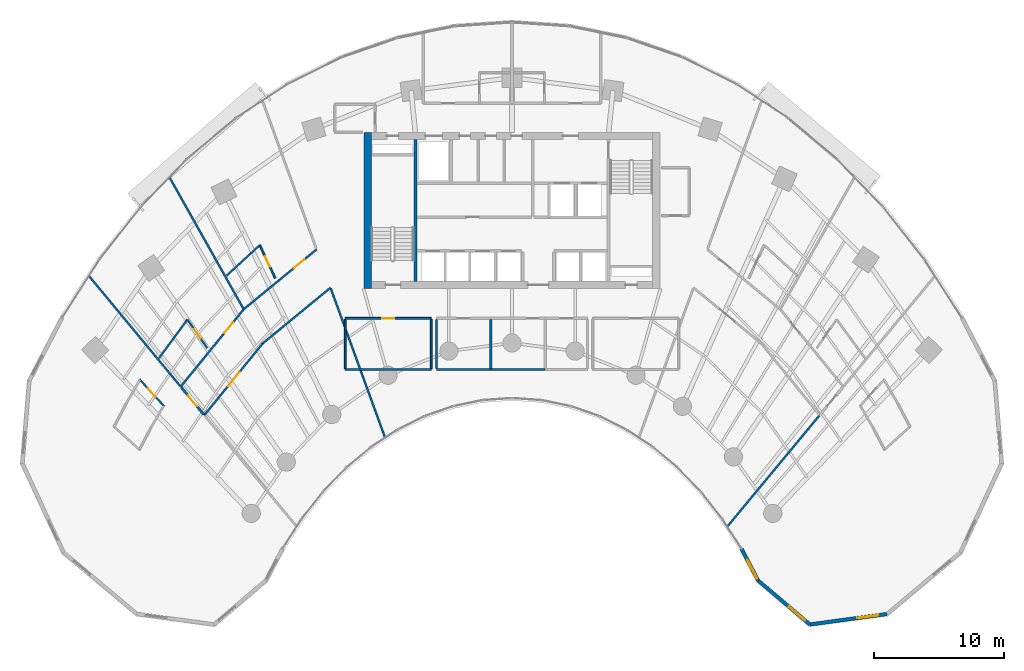
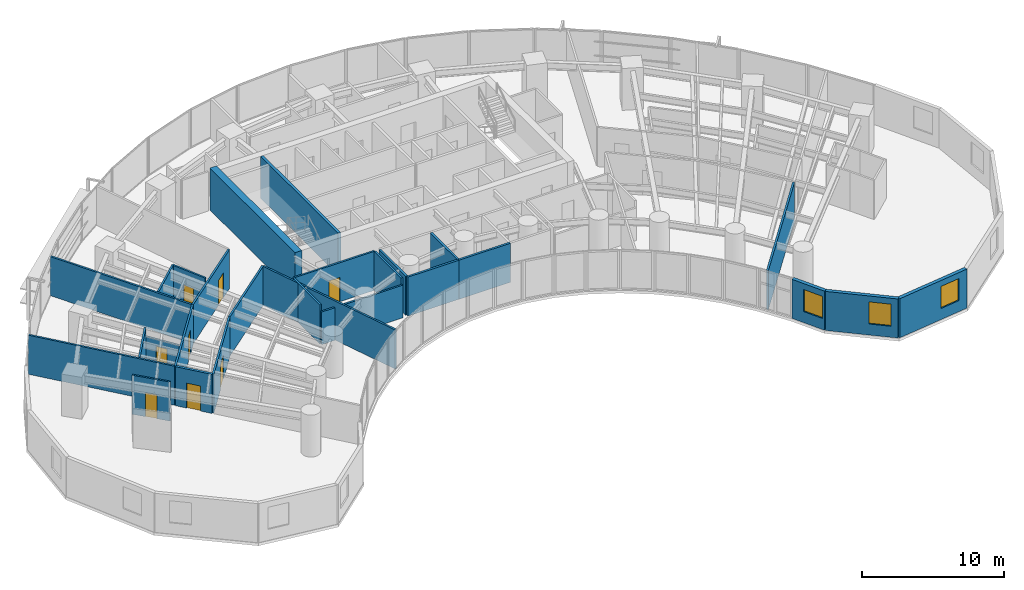
# One storey, part 11 of 17: 27 walls, 8 doors, 3 windows, 11 openings.
"""IFC4 building model written with IfcOpenShell, lengths in metres."""

from ifc_helpers import new_model, si_unit, direction, frame, frame_2d, origin, place, context, subcontext, project, spatial, rectangle, extrude, source, transform, mapped, material, layer, layer_set, type_object, type_shapes, element, fill, save


model = new_model("IFC4")

# Units and contexts
model_context = context("Model", 3, precision=1e-05, world=origin(), true_north=direction((0.0, 1.0)))
body_context = subcontext(model_context, "Body", "Model", "MODEL_VIEW")
ifc_project = project(units=[si_unit("LENGTHUNIT", "METRE"), si_unit("AREAUNIT", "SQUARE_METRE"), si_unit("VOLUMEUNIT", "CUBIC_METRE"), si_unit("PLANEANGLEUNIT", "RADIAN"), si_unit("MASSUNIT", "GRAM", prefix="KILO")], contexts=[model_context])

# Site, building, storey
site_placement = place(None, origin())
site = spatial("IfcSite", under=ifc_project, at=site_placement, CompositionType="ELEMENT")
building_placement = place(site_placement, origin())
building = spatial("IfcBuilding", under=site, at=building_placement, Name="Breltana Convention Tower", CompositionType="ELEMENT")
storey_placement = place(building_placement, frame((0.0, 0.0, 53.39990234375)))
storey = spatial("IfcBuildingStorey", under=building, at=storey_placement, Name="L11", CompositionType="ELEMENT", Elevation=53.39990234375)

# Walls
ifc_material_1 = material(Name="Concrete C60/75", Category="concrete")
ifc_layer_1 = layer(ifc_material_1, 0.550048828125, Name="Concrete C60/75")
ifc_layer_set_1 = layer_set([ifc_layer_1], Name="Concrete C60/75")
wall_type_1 = type_object("IfcWallType", Name="SW-CORE-550", PredefinedType="SHEAR", material=ifc_layer_set_1)
shared_shape_1 = source(origin(), body_context, "Body", "SweptSolid", [
    extrude(rectangle(XDim=12.0, YDim=0.550048828125, at=frame_2d((6.0, 0.0))), origin(), (0.0, 0.0, 1.0), 3.60009765625),
])
wall_1_placement = place(storey_placement, frame((36.925048828125, 60.199951171875, 0.0), z_axis=(0.0, 0.0, 1.0), x_axis=(0.0, 1.0, 0.0)))
element("IfcWall", 1, at=wall_1_placement, inside=storey, type_object=wall_type_1, Name="L11 West Core Shear Wall", PredefinedType="SHEAR", context=body_context, shape_type="MappedRepresentation", body=[
    mapped(shared_shape_1, transform((0.0, 0.0, 0.0), scale=1.0)),
])
ifc_material_2 = material(Name="Concrete C50/60", Category="concrete")
ifc_layer_2 = layer(ifc_material_2, 0.39990234375, Name="Concrete C50/60")
ifc_layer_set_2 = layer_set([ifc_layer_2], Name="Concrete C50/60")
wall_type_2 = type_object("IfcWallType", Name="SW-CORE-400", PredefinedType="SHEAR", material=ifc_layer_set_2)
shared_shape_2 = source(origin(), body_context, "Body", "SweptSolid", [
    extrude(rectangle(XDim=10.89990234375, YDim=0.219970703125, at=frame_2d((5.449951171875, 0.0))), origin(), (0.0, 0.0, 1.0), 3.60009765625),
])
wall_2_placement = place(storey_placement, frame((40.580078125, 60.75, 0.0), z_axis=(0.0, 0.0, 1.0), x_axis=(0.0, 1.0, 0.0)))
element("IfcWall", 2, at=wall_2_placement, inside=storey, type_object=wall_type_2, Name="L11 Core West Stair Spine Wall", PredefinedType="SHEAR", context=body_context, shape_type="MappedRepresentation", body=[
    mapped(shared_shape_2, transform((0.0, 0.0, 0.0), scale=1.0)),
])

# Wall, opening, window
ifc_material_3 = material(Name="Limestone Buff Insulated Wall", Category="masonry")
ifc_layer_3 = layer(ifc_material_3, 0.280029296875, Name="Limestone Buff Insulated Wall")
ifc_layer_set_3 = layer_set([ifc_layer_3], Name="Limestone Buff Insulated Wall")
wall_type_3 = type_object("IfcWallType", Name="WL-EXT-NOSE-280", PredefinedType="SOLIDWALL", material=ifc_layer_set_3)
shared_shape_3 = source(origin(), body_context, "Body", "SweptSolid", [
    extrude(rectangle(XDim=5.96728515625, YDim=0.280029296875, at=frame_2d((2.983642578125, 0.0))), origin(), (0.0, 0.0, 1.0), 3.360107421875),
])
wall_3_placement = place(storey_placement, frame((76.77734375, 35.226806640625, 0.0), z_axis=(0.0, 0.0, 1.0), x_axis=(-0.990927009341, -0.134401124099, 0.0)))
wall_3 = element("IfcWall", 3, at=wall_3_placement, inside=storey, type_object=wall_type_3, Name="L11 curved limestone nose wall E4", PredefinedType="SOLIDWALL", context=body_context, shape_type="MappedRepresentation", body=[
    mapped(shared_shape_3, transform((0.0, 0.0, 0.0), scale=1.0)),
])
opening_1_placement = place(wall_3_placement, frame((0.69189453125, 0.0, 0.949951171875)))
opening_1 = element("IfcOpeningElement", 4, at=opening_1_placement, cuts=wall_3, Name="Opening W-04", PredefinedType="OPENING", context=body_context, shape_type="SweptSolid", body=[
    extrude(rectangle(XDim=1.60009765625, YDim=1.89990234375, at=frame_2d((0.800048828125, 0.949951171875))), frame((0.0, 0.14990234375, 0.0), z_axis=(0.0, -1.0, 0.0), x_axis=(1.0, 0.0, 0.0)), (0.0, 0.0, 1.0), 0.300048828125),
])
ifc_material_4 = material(Name="Glass Low-E Insulated Window", Category="glass")
window_type = type_object("IfcWindowType", Name="WN-NOSE-1600X1900", PartitioningType="SINGLE_PANEL", PredefinedType="WINDOW", material=ifc_material_4)
shared_shape_4 = source(origin(), body_context, "Body", "SweptSolid", [
    extrude(rectangle(XDim=1.60009765625, YDim=1.89990234375, at=frame_2d((0.800048828125, 0.949951171875))), frame((0.0, 0.030029296875, 0.0), z_axis=(0.0, -1.0, 0.0), x_axis=(1.0, 0.0, 0.0)), (0.0, 0.0, 1.0), 0.06005859375),
])
type_shapes(window_type, [shared_shape_4])
window_1_placement = place(opening_1_placement, origin())
window_1 = element("IfcWindow", 5, at=window_1_placement, inside=storey, type_object=window_type, Name="L11 nose window E4", OverallHeight=1.89990234375, OverallWidth=1.60009765625, PartitioningType="SINGLE_PANEL", PredefinedType="WINDOW", context=body_context, shape_type="MappedRepresentation", body=[
    mapped(shared_shape_4, transform((0.0, 0.0, 0.0), scale=1.0)),
])
fill(opening_1, window_1)

shared_shape_5 = source(origin(), body_context, "Body", "SweptSolid", [
    extrude(rectangle(XDim=5.222412109375, YDim=0.280029296875, at=frame_2d((2.611328125, 0.0))), origin(), (0.0, 0.0, 1.0), 3.360107421875),
])
wall_4_placement = place(storey_placement, frame((70.8642578125, 34.4248046875, 0.0), z_axis=(0.0, 0.0, 1.0), x_axis=(-0.761900099546, 0.647694556339, 0.0)))
wall_4 = element("IfcWall", 6, at=wall_4_placement, inside=storey, type_object=wall_type_3, Name="L11 curved limestone nose wall E5", PredefinedType="SOLIDWALL", context=body_context, shape_type="MappedRepresentation", body=[
    mapped(shared_shape_5, transform((0.0, 0.0, 0.0), scale=1.0)),
])
opening_2_placement = place(wall_4_placement, frame((0.505615234375, 0.0, 0.949951171875)))
opening_2 = element("IfcOpeningElement", 7, at=opening_2_placement, cuts=wall_4, Name="Opening W-04", PredefinedType="OPENING", context=body_context, shape_type="SweptSolid", body=[
    extrude(rectangle(XDim=1.60009765625, YDim=1.89990234375, at=frame_2d((0.800048828125, 0.949951171875))), frame((0.0, 0.14990234375, 0.0), z_axis=(0.0, -1.0, 0.0), x_axis=(1.0, 0.0, 0.0)), (0.0, 0.0, 1.0), 0.300048828125),
])
window_2_placement = place(opening_2_placement, origin())
window_2 = element("IfcWindow", 8, at=window_2_placement, inside=storey, type_object=window_type, Name="L11 nose window E5", OverallHeight=1.89990234375, OverallWidth=1.60009765625, PartitioningType="SINGLE_PANEL", PredefinedType="WINDOW", context=body_context, shape_type="MappedRepresentation", body=[
    mapped(shared_shape_4, transform((0.0, 0.0, 0.0), scale=1.0)),
])
fill(opening_2, window_2)

shared_shape_6 = source(origin(), body_context, "Body", "SweptSolid", [
    extrude(rectangle(XDim=2.7353515625, YDim=0.280029296875, at=frame_2d((1.36767578125, 0.0))), origin(), (0.0, 0.0, 1.0), 3.360107421875),
])
wall_5_placement = place(storey_placement, frame((66.88525390625, 37.807373046875, 0.0), z_axis=(0.0, 0.0, 1.0), x_axis=(-0.46179107292, 0.886988728774, 0.0)))
wall_5 = element("IfcWall", 9, at=wall_5_placement, inside=storey, type_object=wall_type_3, Name="L11 curved limestone nose wall E6", PredefinedType="SOLIDWALL", context=body_context, shape_type="MappedRepresentation", body=[
    mapped(shared_shape_6, transform((0.0, 0.0, 0.0), scale=1.0)),
])
opening_3_placement = place(wall_5_placement, frame((0.159912109375, 0.0, 0.949951171875)))
opening_3 = element("IfcOpeningElement", 10, at=opening_3_placement, cuts=wall_5, Name="Opening W-04", PredefinedType="OPENING", context=body_context, shape_type="SweptSolid", body=[
    extrude(rectangle(XDim=1.60009765625, YDim=1.89990234375, at=frame_2d((0.800048828125, 0.949951171875))), frame((0.0, 0.14990234375, 0.0), z_axis=(0.0, -1.0, 0.0), x_axis=(1.0, 0.0, 0.0)), (0.0, 0.0, 1.0), 0.300048828125),
])
window_3_placement = place(opening_3_placement, origin())
window_3 = element("IfcWindow", 11, at=window_3_placement, inside=storey, type_object=window_type, Name="L11 nose window E6", OverallHeight=1.89990234375, OverallWidth=1.60009765625, PartitioningType="SINGLE_PANEL", PredefinedType="WINDOW", context=body_context, shape_type="MappedRepresentation", body=[
    mapped(shared_shape_4, transform((0.0, 0.0, 0.0), scale=1.0)),
])
fill(opening_3, window_3)

# Wall
ifc_material_5 = material(Name="Gypsum Acoustic Drywall Partition")
ifc_layer_4 = layer(ifc_material_5, 0.14990234375, Name="Gypsum Acoustic Drywall Partition")
ifc_layer_set_4 = layer_set([ifc_layer_4], Name="Gypsum Acoustic Drywall Partition")
wall_type_4 = type_object("IfcWallType", Name="WL-PART-150", PredefinedType="PARTITIONING", material=ifc_layer_set_4)
shared_shape_7 = source(origin(), body_context, "Body", "SweptSolid", [
    extrude(rectangle(XDim=6.60009765625, YDim=0.14990234375, at=frame_2d((3.300048828125, 0.0))), origin(), (0.0, 0.0, 1.0), 2.802978515625),
])
wall_6_placement = place(storey_placement, frame((35.199951171875, 54.0, 0.0), z_axis=(0.0, 0.0, 1.0), x_axis=(1.0, 0.0, 0.0)))
element("IfcWall", 12, at=wall_6_placement, inside=storey, type_object=wall_type_4, Name="L11 interior partition W-L11-HSK-S", PredefinedType="PARTITIONING", context=body_context, shape_type="MappedRepresentation", body=[
    mapped(shared_shape_7, transform((0.0, 0.0, 0.0), scale=1.0)),
])

# Wall, opening, door
shared_shape_8 = source(origin(), body_context, "Body", "SweptSolid", [
    extrude(rectangle(XDim=6.60009765625, YDim=0.14990234375, at=frame_2d((3.300048828125, 0.0))), origin(), (0.0, 0.0, 1.0), 3.360107421875),
])
wall_7_placement = place(storey_placement, frame((35.199951171875, 57.919921875, 0.0), z_axis=(0.0, 0.0, 1.0), x_axis=(1.0, 0.0, 0.0)))
wall_7 = element("IfcWall", 13, at=wall_7_placement, inside=storey, type_object=wall_type_4, Name="L11 interior partition W-L11-HSK-N", PredefinedType="PARTITIONING", context=body_context, shape_type="MappedRepresentation", body=[
    mapped(shared_shape_8, transform((0.0, 0.0, 0.0), scale=1.0)),
])
opening_4_placement = place(wall_7_placement, frame((2.85009765625, 0.0, 0.0)))
opening_4 = element("IfcOpeningElement", 14, at=opening_4_placement, cuts=wall_7, Name="Opening D-18", PredefinedType="OPENING", context=body_context, shape_type="SweptSolid", body=[
    extrude(rectangle(XDim=0.89990234375, YDim=2.10009765625, at=frame_2d((0.449951171875, 1.050048828125))), frame((0.0, 0.0849609375, 0.0), z_axis=(0.0, -1.0, 0.0), x_axis=(1.0, 0.0, 0.0)), (0.0, 0.0, 1.0), 0.169921875),
])
ifc_material_6 = material(Name="Steel Riser Fire Door", Category="steel")
door_type_1 = type_object("IfcDoorType", Name="DR-FD60-900", OperationType="NOTDEFINED", PredefinedType="DOOR", material=ifc_material_6)
shared_shape_9 = source(origin(), body_context, "Body", "SweptSolid", [
    extrude(rectangle(XDim=0.89990234375, YDim=2.10009765625, at=frame_2d((0.449951171875, 1.050048828125))), frame((0.0, 0.02490234375, 0.0), z_axis=(0.0, -1.0, 0.0), x_axis=(1.0, 0.0, 0.0)), (0.0, 0.0, 1.0), 0.050048828125),
])
type_shapes(door_type_1, [shared_shape_9])
door_1_placement = place(opening_4_placement, origin())
door_1 = element("IfcDoor", 15, at=door_1_placement, inside=storey, type_object=door_type_1, Name="L11 interior door D-L11-HSK", OperationType="SINGLE_SWING_LEFT", OverallHeight=2.10009765625, OverallWidth=0.89990234375, PredefinedType="DOOR", context=body_context, shape_type="MappedRepresentation", body=[
    mapped(shared_shape_9, transform((0.0, 0.0, 0.0), scale=1.0)),
])
fill(opening_4, door_1)

# Walls
shared_shape_10 = source(origin(), body_context, "Body", "SweptSolid", [
    extrude(rectangle(XDim=3.78515625, YDim=0.14990234375, at=frame_2d((1.892578125, 0.0))), origin(), (0.0, 0.0, 1.0), 3.360107421875),
])
for number, where, z_axis, x_axis, name in (
    (16, (35.199951171875, 54.0673828125, 0.0), (0.0, 0.0, 1.0), (0.0, 1.0, 0.0), "L11 interior partition W-L11-HSK-W"),
    (17, (41.800048828125, 54.0673828125, 0.0), (0.0, 0.0, 1.0), (0.0, 1.0, 0.0), "L11 interior partition W-L11-HSK-E"),
):
    element("IfcWall", number, at=place(storey_placement, frame(where, z_axis=z_axis, x_axis=x_axis)), inside=storey, type_object=wall_type_4, Name=name, PredefinedType="PARTITIONING", context=body_context, shape_type="MappedRepresentation", body=[
        mapped(shared_shape_10, transform((0.0, 0.0, 0.0), scale=1.0)),
    ])

# Wall, opening, door
ifc_material_7 = material(Name="Gypsum Acoustic Hotel Wall")
ifc_layer_5 = layer(ifc_material_7, 0.195068359375, Name="Gypsum Acoustic Hotel Wall")
ifc_layer_set_5 = layer_set([ifc_layer_5], Name="Gypsum Acoustic Hotel Wall")
wall_type_5 = type_object("IfcWallType", Name="WL-HOTEL-200", PredefinedType="PARTITIONING", material=ifc_layer_set_5)
shared_shape_11 = source(origin(), body_context, "Body", "SweptSolid", [
    extrude(rectangle(XDim=2.748291015625, YDim=0.195068359375, at=frame_2d((1.3740234375, 0.0))), origin(), (0.0, 0.0, 1.0), 3.360107421875),
])
wall_8_placement = place(storey_placement, frame((24.35302734375, 50.531005859375, 0.0), z_axis=(0.0, 0.0, 1.0), x_axis=(-0.638111168284, 0.769944242729, 0.0)))
wall_8 = element("IfcWall", 18, at=wall_8_placement, inside=storey, type_object=wall_type_5, Name="L11 interior partition W-L11-CS-W-END", PredefinedType="PARTITIONING", context=body_context, shape_type="MappedRepresentation", body=[
    mapped(shared_shape_11, transform((0.0, 0.0, 0.0), scale=1.0)),
])
opening_5_placement = place(wall_8_placement, frame((0.84912109375, 0.0, 0.0)))
opening_5 = element("IfcOpeningElement", 19, at=opening_5_placement, cuts=wall_8, Name="Opening D-13", PredefinedType="OPENING", context=body_context, shape_type="SweptSolid", body=[
    extrude(rectangle(XDim=1.050048828125, YDim=2.14990234375, at=frame_2d((0.52490234375, 1.074951171875))), frame((0.0, 0.107421875, 0.0), z_axis=(0.0, -1.0, 0.0), x_axis=(1.0, 0.0, 0.0)), (0.0, 0.0, 1.0), 0.215087890625),
])
ifc_material_8 = material(Name="Timber Solid-Core Fire Door", Category="wood")
door_type_2 = type_object("IfcDoorType", Name="DR-FD60-1050", OperationType="NOTDEFINED", PredefinedType="DOOR", material=ifc_material_8)
shared_shape_12 = source(origin(), body_context, "Body", "SweptSolid", [
    extrude(rectangle(XDim=1.050048828125, YDim=2.14990234375, at=frame_2d((0.52490234375, 1.074951171875))), frame((0.0, 0.02490234375, 0.0), z_axis=(0.0, -1.0, 0.0), x_axis=(1.0, 0.0, 0.0)), (0.0, 0.0, 1.0), 0.050048828125),
])
type_shapes(door_type_2, [shared_shape_12])
door_2_placement = place(opening_5_placement, origin())
door_2 = element("IfcDoor", 20, at=door_2_placement, inside=storey, type_object=door_type_2, Name="L11 interior door D-L11-CS-W", OperationType="SINGLE_SWING_RIGHT", OverallHeight=2.14990234375, OverallWidth=1.050048828125, PredefinedType="DOOR", context=body_context, shape_type="MappedRepresentation", body=[
    mapped(shared_shape_12, transform((0.0, 0.0, 0.0), scale=1.0)),
])
fill(opening_5, door_2)

ifc_material_9 = material(Name="Moisture-Resistant En-Suite Partition")
ifc_layer_6 = layer(ifc_material_9, 0.139892578125, Name="Moisture-Resistant En-Suite Partition")
ifc_layer_set_6 = layer_set([ifc_layer_6], Name="Moisture-Resistant En-Suite Partition")
wall_type_6 = type_object("IfcWallType", Name="WL-WET-150", PredefinedType="PARTITIONING", material=ifc_layer_set_6)
shared_shape_13 = source(origin(), body_context, "Body", "SweptSolid", [
    extrude(rectangle(XDim=2.812255859375, YDim=0.139892578125, at=frame_2d((1.40625, 0.0))), origin(), (0.0, 0.0, 1.0), 3.360107421875),
])
wall_9_placement = place(storey_placement, frame((21.30322265625, 51.176513671875, 0.0), z_axis=(0.0, 0.0, 1.0), x_axis=(-0.675119025852, 0.737708818527, 0.0)))
wall_9 = element("IfcWall", 21, at=wall_9_placement, inside=storey, type_object=wall_type_6, Name="L11 interior partition W-L11-CSENS-W-W", PredefinedType="PARTITIONING", context=body_context, shape_type="MappedRepresentation", body=[
    mapped(shared_shape_13, transform((0.0, 0.0, 0.0), scale=1.0)),
])
opening_6_placement = place(wall_9_placement, frame((0.981201171875, 0.0, 0.0)))
opening_6 = element("IfcOpeningElement", 22, at=opening_6_placement, cuts=wall_9, Name="Opening D-21", PredefinedType="OPENING", context=body_context, shape_type="SweptSolid", body=[
    extrude(rectangle(XDim=0.85009765625, YDim=2.050048828125, at=frame_2d((0.425048828125, 1.02490234375))), frame((0.0, 0.080078125, 0.0), z_axis=(0.0, -1.0, 0.0), x_axis=(1.0, 0.0, 0.0)), (0.0, 0.0, 1.0), 0.159912109375),
])
ifc_material_10 = material(Name="Timber Moisture-Resistant En-Suite Door", Category="wood")
door_type_3 = type_object("IfcDoorType", Name="DR-WET-850", OperationType="NOTDEFINED", PredefinedType="DOOR", material=ifc_material_10)
shared_shape_14 = source(origin(), body_context, "Body", "SweptSolid", [
    extrude(rectangle(XDim=0.85009765625, YDim=2.050048828125, at=frame_2d((0.425048828125, 1.02490234375))), frame((0.0, 0.02490234375, 0.0), z_axis=(0.0, -1.0, 0.0), x_axis=(1.0, 0.0, 0.0)), (0.0, 0.0, 1.0), 0.050048828125),
])
type_shapes(door_type_3, [shared_shape_14])
door_3_placement = place(opening_6_placement, origin())
door_3 = element("IfcDoor", 23, at=door_3_placement, inside=storey, type_object=door_type_3, Name="L11 interior door D-L11-CSENS-W", OperationType="SINGLE_SWING_LEFT", OverallHeight=2.050048828125, OverallWidth=0.85009765625, PredefinedType="DOOR", context=body_context, shape_type="MappedRepresentation", body=[
    mapped(shared_shape_14, transform((0.0, 0.0, 0.0), scale=1.0)),
])
fill(opening_6, door_3)

# Walls
ifc_material_11 = material(Name="Cement Board Wet-Area Partition")
ifc_layer_7 = layer(ifc_material_11, 0.175048828125, Name="Cement Board Wet-Area Partition")
ifc_layer_set_7 = layer_set([ifc_layer_7], Name="Cement Board Wet-Area Partition")
wall_type_7 = type_object("IfcWallType", Name="WL-WET-175", PredefinedType="PARTITIONING", material=ifc_layer_set_7)
shared_shape_15 = source(origin(), body_context, "Body", "SweptSolid", [
    extrude(rectangle(XDim=4.176025390625, YDim=0.175048828125, at=frame_2d((2.087890625, 0.0))), origin(), (0.0, 0.0, 1.0), 3.360107421875),
])
for number, where, z_axis, x_axis, name in (
    (24, (42.199951171875, 54.0, 0.0), (0.0, 0.0, 1.0), (1.0, 0.0, 0.0), "L11 interior partition W-L11-WCM-S"),
    (25, (46.3759765625, 54.0, 0.0), (0.0, 0.0, 1.0), (1.0, 0.0, 0.0), "L11 interior partition W-L11-WCF-S"),
):
    element("IfcWall", number, at=place(storey_placement, frame(where, z_axis=z_axis, x_axis=x_axis)), inside=storey, type_object=wall_type_7, Name=name, PredefinedType="PARTITIONING", context=body_context, shape_type="MappedRepresentation", body=[
        mapped(shared_shape_15, transform((0.0, 0.0, 0.0), scale=1.0)),
    ])
shared_shape_16 = source(origin(), body_context, "Body", "SweptSolid", [
    extrude(rectangle(XDim=3.7626953125, YDim=0.175048828125, at=frame_2d((1.88134765625, 0.0))), origin(), (0.0, 0.0, 1.0), 3.360107421875),
])
for number, where, z_axis, x_axis, name in (
    (26, (42.199951171875, 54.07861328125, 0.0), (0.0, 0.0, 1.0), (0.0, 1.0, 0.0), "L11 interior partition W-L11-WCM-W"),
    (27, (46.3759765625, 54.07861328125, 0.0), (0.0, 0.0, 1.0), (0.0, 1.0, 0.0), "L11 interior partition W-L11-WCM-E"),
):
    element("IfcWall", number, at=place(storey_placement, frame(where, z_axis=z_axis, x_axis=x_axis)), inside=storey, type_object=wall_type_7, Name=name, PredefinedType="PARTITIONING", context=body_context, shape_type="MappedRepresentation", body=[
        mapped(shared_shape_16, transform((0.0, 0.0, 0.0), scale=1.0)),
    ])

# Wall, opening, door
shared_shape_17 = source(origin(), body_context, "Body", "SweptSolid", [
    extrude(rectangle(XDim=7.65869140625, YDim=0.14990234375, at=frame_2d((3.829345703125, 0.0))), origin(), (0.0, 0.0, 1.0), 3.360107421875),
])
wall_10_placement = place(storey_placement, frame((22.569580078125, 52.682861328125, 0.0), z_axis=(0.0, 0.0, 1.0), x_axis=(0.631489868862, 0.775384127723, 0.0)))
wall_10 = element("IfcWall", 28, at=wall_10_placement, inside=storey, type_object=wall_type_4, Name="L11 interior partition W-L11-HS01-COR", PredefinedType="PARTITIONING", context=body_context, shape_type="MappedRepresentation", body=[
    mapped(shared_shape_17, transform((0.0, 0.0, 0.0), scale=1.0)),
])
opening_7_placement = place(wall_10_placement, frame((5.29541015625, 0.0, 0.0)))
opening_7 = element("IfcOpeningElement", 29, at=opening_7_placement, cuts=wall_10, Name="Opening D-13", PredefinedType="OPENING", context=body_context, shape_type="SweptSolid", body=[
    extrude(rectangle(XDim=1.050048828125, YDim=2.14990234375, at=frame_2d((0.52490234375, 1.074951171875))), frame((0.0, 0.0849609375, 0.0), z_axis=(0.0, -1.0, 0.0), x_axis=(1.0, 0.0, 0.0)), (0.0, 0.0, 1.0), 0.169921875),
])
door_4_placement = place(opening_7_placement, origin())
door_4 = element("IfcDoor", 30, at=door_4_placement, inside=storey, type_object=door_type_2, Name="L11 interior door D-L11-HS01", OperationType="SINGLE_SWING_RIGHT", OverallHeight=2.14990234375, OverallWidth=1.050048828125, PredefinedType="DOOR", context=body_context, shape_type="MappedRepresentation", body=[
    mapped(shared_shape_12, transform((0.0, 0.0, 0.0), scale=1.0)),
])
fill(opening_7, door_4)

# Walls
shared_shape_18 = source(origin(), body_context, "Body", "SweptSolid", [
    extrude(rectangle(XDim=10.974609375, YDim=0.14990234375, at=frame_2d((5.4873046875, 0.0))), origin(), (0.0, 0.0, 1.0), 3.360107421875),
])
wall_11_placement = place(storey_placement, frame((22.539794921875, 52.71875, 0.0), z_axis=(0.0, 0.0, 1.0), x_axis=(-0.638125265812, 0.769932558821, 0.0)))
element("IfcWall", 31, at=wall_11_placement, inside=storey, type_object=wall_type_4, Name="L11 interior partition W-L11-HS01-RA", PredefinedType="PARTITIONING", context=body_context, shape_type="MappedRepresentation", body=[
    mapped(shared_shape_18, transform((0.0, 0.0, 0.0), scale=1.0)),
])
shared_shape_19 = source(origin(), body_context, "Body", "SweptSolid", [
    extrude(rectangle(XDim=11.572509765625, YDim=0.14990234375, at=frame_2d((5.7861328125, 0.0))), origin(), (0.0, 0.0, 1.0), 3.360107421875),
])
wall_12_placement = place(storey_placement, frame((27.3818359375, 58.6640625, 0.0), z_axis=(0.0, 0.0, 1.0), x_axis=(-0.490161073951, 0.871631872744, 0.0)))
element("IfcWall", 32, at=wall_12_placement, inside=storey, type_object=wall_type_4, Name="L11 interior partition W-L11-HS01-RB", PredefinedType="PARTITIONING", context=body_context, shape_type="MappedRepresentation", body=[
    mapped(shared_shape_19, transform((0.0, 0.0, 0.0), scale=1.0)),
])
shared_shape_20 = source(origin(), body_context, "Body", "SweptSolid", [
    extrude(rectangle(XDim=3.656494140625, YDim=0.139892578125, at=frame_2d((1.828125, 0.0))), origin(), (0.0, 0.0, 1.0), 3.360107421875),
])
wall_13_placement = place(storey_placement, frame((20.9150390625, 54.88623046875, 0.0), z_axis=(0.0, 0.0, 1.0), x_axis=(0.592700141555, 0.805423206892, 0.0)))
element("IfcWall", 33, at=wall_13_placement, inside=storey, type_object=wall_type_6, Name="L11 interior partition W-L11-HS01E-BK", PredefinedType="PARTITIONING", context=body_context, shape_type="MappedRepresentation", body=[
    mapped(shared_shape_20, transform((0.0, 0.0, 0.0), scale=1.0)),
])

# Wall, opening, door
shared_shape_21 = source(origin(), body_context, "Body", "SweptSolid", [
    extrude(rectangle(XDim=2.662841796875, YDim=0.139892578125, at=frame_2d((1.33154296875, 0.0))), origin(), (0.0, 0.0, 1.0), 2.64404296875),
])
wall_14_placement = place(storey_placement, frame((24.6025390625, 55.64501953125, 0.0), z_axis=(0.0, 0.0, 1.0), x_axis=(-0.570905989724, 0.821015438891, 0.0)))
wall_14 = element("IfcWall", 34, at=wall_14_placement, inside=storey, type_object=wall_type_6, Name="L11 interior partition W-L11-HS01E-SD", PredefinedType="PARTITIONING", context=body_context, shape_type="MappedRepresentation", body=[
    mapped(shared_shape_21, transform((0.0, 0.0, 0.0), scale=1.0)),
])
opening_8_placement = place(wall_14_placement, frame((0.906494140625, 0.0, 0.0)))
opening_8 = element("IfcOpeningElement", 35, at=opening_8_placement, cuts=wall_14, Name="Opening D-21", PredefinedType="OPENING", context=body_context, shape_type="SweptSolid", body=[
    extrude(rectangle(XDim=0.85009765625, YDim=2.050048828125, at=frame_2d((0.425048828125, 1.02490234375))), frame((0.0, 0.080078125, 0.0), z_axis=(0.0, -1.0, 0.0), x_axis=(1.0, 0.0, 0.0)), (0.0, 0.0, 1.0), 0.159912109375),
])
door_5_placement = place(opening_8_placement, origin())
door_5 = element("IfcDoor", 36, at=door_5_placement, inside=storey, type_object=door_type_3, Name="L11 interior door D-L11-HS01E", OperationType="SINGLE_SWING_LEFT", OverallHeight=2.050048828125, OverallWidth=0.85009765625, PredefinedType="DOOR", context=body_context, shape_type="MappedRepresentation", body=[
    mapped(shared_shape_14, transform((0.0, 0.0, 0.0), scale=1.0)),
])
fill(opening_8, door_5)

shared_shape_22 = source(origin(), body_context, "Body", "SweptSolid", [
    extrude(rectangle(XDim=7.23681640625, YDim=0.14990234375, at=frame_2d((3.618408203125, 0.0))), origin(), (0.0, 0.0, 1.0), 3.360107421875),
])
wall_15_placement = place(storey_placement, frame((27.406005859375, 58.621337890625, 0.0), z_axis=(0.0, 0.0, 1.0), x_axis=(0.772813707793, 0.634632943557, 0.0)))
wall_15 = element("IfcWall", 37, at=wall_15_placement, inside=storey, type_object=wall_type_4, Name="L11 interior partition W-L11-HS02-COR", PredefinedType="PARTITIONING", context=body_context, shape_type="MappedRepresentation", body=[
    mapped(shared_shape_22, transform((0.0, 0.0, 0.0), scale=1.0)),
])
opening_9_placement = place(wall_15_placement, frame((4.97509765625, 0.0, 0.0)))
opening_9 = element("IfcOpeningElement", 38, at=opening_9_placement, cuts=wall_15, Name="Opening D-13", PredefinedType="OPENING", context=body_context, shape_type="SweptSolid", body=[
    extrude(rectangle(XDim=1.050048828125, YDim=2.14990234375, at=frame_2d((0.52490234375, 1.074951171875))), frame((0.0, 0.0849609375, 0.0), z_axis=(0.0, -1.0, 0.0), x_axis=(1.0, 0.0, 0.0)), (0.0, 0.0, 1.0), 0.169921875),
])
door_6_placement = place(opening_9_placement, origin())
door_6 = element("IfcDoor", 39, at=door_6_placement, inside=storey, type_object=door_type_2, Name="L11 interior door D-L11-HS02", OperationType="SINGLE_SWING_RIGHT", OverallHeight=2.14990234375, OverallWidth=1.050048828125, PredefinedType="DOOR", context=body_context, shape_type="MappedRepresentation", body=[
    mapped(shared_shape_12, transform((0.0, 0.0, 0.0), scale=1.0)),
])
fill(opening_9, door_6)

# Wall
shared_shape_23 = source(origin(), body_context, "Body", "SweptSolid", [
    extrude(rectangle(XDim=3.456298828125, YDim=0.139892578125, at=frame_2d((1.72802734375, 0.0))), origin(), (0.0, 0.0, 1.0), 3.360107421875),
])
wall_16_placement = place(storey_placement, frame((26.095458984375, 61.207275390625, 0.0), z_axis=(0.0, 0.0, 1.0), x_axis=(0.736860870293, 0.676044420013, 0.0)))
element("IfcWall", 40, at=wall_16_placement, inside=storey, type_object=wall_type_6, Name="L11 interior partition W-L11-HS02E-BK", PredefinedType="PARTITIONING", context=body_context, shape_type="MappedRepresentation", body=[
    mapped(shared_shape_23, transform((0.0, 0.0, 0.0), scale=1.0)),
])

# Wall, opening, door
shared_shape_24 = source(origin(), body_context, "Body", "SweptSolid", [
    extrude(rectangle(XDim=2.796142578125, YDim=0.139892578125, at=frame_2d((1.39794921875, 0.0))), origin(), (0.0, 0.0, 1.0), 3.360107421875),
])
wall_17_placement = place(storey_placement, frame((29.8232421875, 61.00927734375, 0.0), z_axis=(0.0, 0.0, 1.0), x_axis=(-0.422316594955, 0.906448395456, 0.0)))
wall_17 = element("IfcWall", 41, at=wall_17_placement, inside=storey, type_object=wall_type_6, Name="L11 interior partition W-L11-HS02E-SD", PredefinedType="PARTITIONING", context=body_context, shape_type="MappedRepresentation", body=[
    mapped(shared_shape_24, transform((0.0, 0.0, 0.0), scale=1.0)),
])
opening_10_placement = place(wall_17_placement, frame((0.97314453125, 0.0, 0.0)))
opening_10 = element("IfcOpeningElement", 42, at=opening_10_placement, cuts=wall_17, Name="Opening D-21", PredefinedType="OPENING", context=body_context, shape_type="SweptSolid", body=[
    extrude(rectangle(XDim=0.85009765625, YDim=2.050048828125, at=frame_2d((0.425048828125, 1.02490234375))), frame((0.0, 0.080078125, 0.0), z_axis=(0.0, -1.0, 0.0), x_axis=(1.0, 0.0, 0.0)), (0.0, 0.0, 1.0), 0.159912109375),
])
door_7_placement = place(opening_10_placement, origin())
door_7 = element("IfcDoor", 43, at=door_7_placement, inside=storey, type_object=door_type_3, Name="L11 interior door D-L11-HS02E", OperationType="SINGLE_SWING_LEFT", OverallHeight=2.050048828125, OverallWidth=0.85009765625, PredefinedType="DOOR", context=body_context, shape_type="MappedRepresentation", body=[
    mapped(shared_shape_14, transform((0.0, 0.0, 0.0), scale=1.0)),
])
fill(opening_10, door_7)

shared_shape_25 = source(origin(), body_context, "Body", "SweptSolid", [
    extrude(rectangle(XDim=7.112548828125, YDim=0.14990234375, at=frame_2d((3.55615234375, 0.0))), origin(), (0.0, 0.0, 1.0), 3.360107421875),
])
wall_18_placement = place(storey_placement, frame((24.3828125, 50.4951171875, 0.0), z_axis=(0.0, 0.0, 1.0), x_axis=(0.63149032532, 0.775383755974, 0.0)))
wall_18 = element("IfcWall", 44, at=wall_18_placement, inside=storey, type_object=wall_type_4, Name="L11 interior partition W-L11-HCF1-COR1", PredefinedType="PARTITIONING", context=body_context, shape_type="MappedRepresentation", body=[
    mapped(shared_shape_25, transform((0.0, 0.0, 0.0), scale=1.0)),
])
opening_11_placement = place(wall_18_placement, frame((2.856201171875, 0.0, 0.0)))
opening_11 = element("IfcOpeningElement", 45, at=opening_11_placement, cuts=wall_18, Name="Opening D-05", PredefinedType="OPENING", context=body_context, shape_type="SweptSolid", body=[
    extrude(rectangle(XDim=1.39990234375, YDim=2.14990234375, at=frame_2d((0.699951171875, 1.074951171875))), frame((0.0, 0.0849609375, 0.0), z_axis=(0.0, -1.0, 0.0), x_axis=(1.0, 0.0, 0.0)), (0.0, 0.0, 1.0), 0.169921875),
])
ifc_material_12 = material(Name="Timber Veneer Glazed Double Door", Category="wood")
door_type_4 = type_object("IfcDoorType", Name="DR-DBL-1400", OperationType="DOUBLE_DOOR_SINGLE_SWING", PredefinedType="DOOR", material=ifc_material_12)
shared_shape_26 = source(origin(), body_context, "Body", "SweptSolid", [
    extrude(rectangle(XDim=1.39990234375, YDim=2.14990234375, at=frame_2d((0.699951171875, 1.074951171875))), frame((0.0, 0.02490234375, 0.0), z_axis=(0.0, -1.0, 0.0), x_axis=(1.0, 0.0, 0.0)), (0.0, 0.0, 1.0), 0.050048828125),
])
type_shapes(door_type_4, [shared_shape_26])
door_8_placement = place(opening_11_placement, origin())
door_8 = element("IfcDoor", 46, at=door_8_placement, inside=storey, type_object=door_type_4, Name="L11 interior door D-L11-HCF1", OperationType="SINGLE_SWING_RIGHT", OverallHeight=2.14990234375, OverallWidth=1.39990234375, PredefinedType="DOOR", context=body_context, shape_type="MappedRepresentation", body=[
    mapped(shared_shape_26, transform((0.0, 0.0, 0.0), scale=1.0)),
])
fill(opening_11, door_8)

# Walls
shared_shape_27 = source(origin(), body_context, "Body", "SweptSolid", [
    extrude(rectangle(XDim=6.72119140625, YDim=0.14990234375, at=frame_2d((3.360595703125, 0.0))), origin(), (0.0, 0.0, 1.0), 3.360107421875),
])
wall_19_placement = place(storey_placement, frame((28.874267578125, 56.010009765625, 0.0), z_axis=(0.0, 0.0, 1.0), x_axis=(0.772828051199, 0.63461547671, 0.0)))
element("IfcWall", 47, at=wall_19_placement, inside=storey, type_object=wall_type_4, Name="L11 interior partition W-L11-HCF1-COR2", PredefinedType="PARTITIONING", context=body_context, shape_type="MappedRepresentation", body=[
    mapped(shared_shape_27, transform((0.0, 0.0, 0.0), scale=1.0)),
])
shared_shape_28 = source(origin(), body_context, "Body", "SweptSolid", [
    extrude(rectangle(XDim=12.1962890625, YDim=0.14990234375, at=frame_2d((6.09814453125, 0.0))), origin(), (0.0, 0.0, 1.0), 3.360107421875),
])
wall_20_placement = place(storey_placement, frame((38.257568359375, 48.766357421875, 0.0), z_axis=(0.0, 0.0, 1.0), x_axis=(-0.342022711534, 0.939691686031, 0.0)))
element("IfcWall", 48, at=wall_20_placement, inside=storey, type_object=wall_type_4, Name="L11 interior partition W-L11-HCF1-RB", PredefinedType="PARTITIONING", context=body_context, shape_type="MappedRepresentation", body=[
    mapped(shared_shape_28, transform((0.0, 0.0, 0.0), scale=1.0)),
])
shared_shape_29 = source(origin(), body_context, "Body", "SweptSolid", [
    extrude(rectangle(XDim=11.05322265625, YDim=0.14990234375, at=frame_2d((5.526611328125, 0.0))), origin(), (0.0, 0.0, 1.0), 3.360107421875),
])
wall_21_placement = place(storey_placement, frame((64.533935546875, 41.948974609375, 0.0), z_axis=(0.0, 0.0, 1.0), x_axis=(0.638131235571, 0.769927611005, 0.0)))
element("IfcWall", 49, at=wall_21_placement, inside=storey, type_object=wall_type_4, Name="L11 interior partition W-L11-HCF2-RB", PredefinedType="PARTITIONING", context=body_context, shape_type="MappedRepresentation", body=[
    mapped(shared_shape_29, transform((0.0, 0.0, 0.0), scale=1.0)),
])

save(model, "model.ifc")
